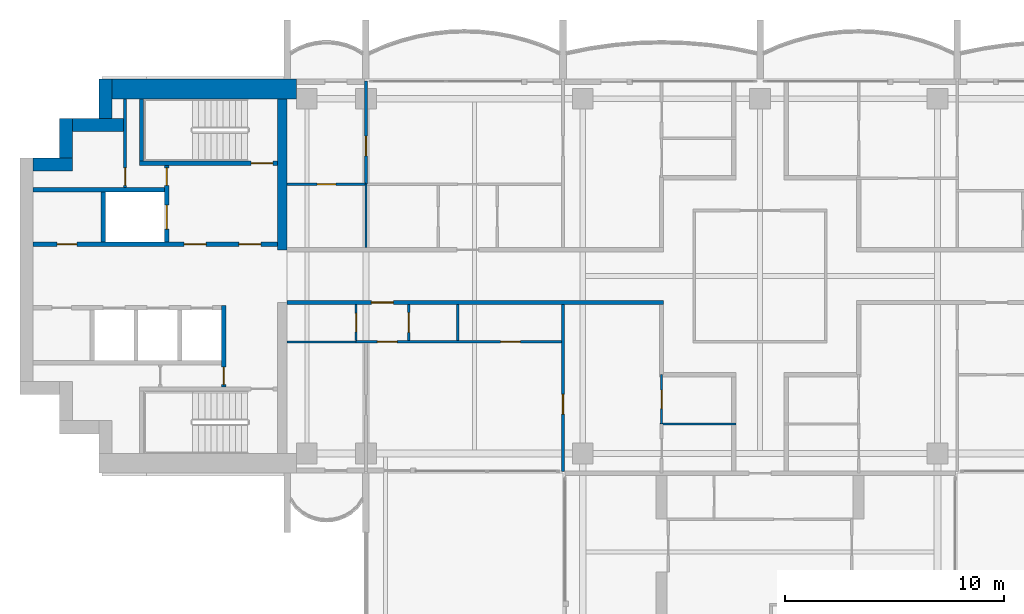
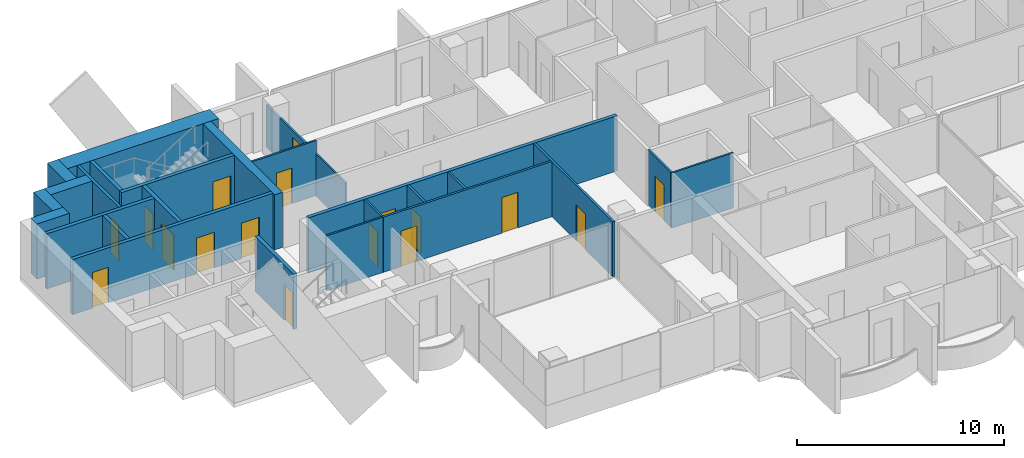
# One storey, part 9 of 18: 26 walls, 17 doors, 17 openings.
"""IFC4 building model written with IfcOpenShell, lengths in metres."""

from ifc_helpers import new_model, si_unit, direction, frame, frame_2d, origin, place, context, subcontext, project, spatial, rectangle, extrude, material, layer, layer_set, type_object, element, fill, save


model = new_model("IFC4")

# Units and contexts
model_context = context("Model", 3, precision=1e-05, world=origin(), true_north=direction((0.0, 1.0)))
body_context = subcontext(model_context, "Body", "Model", "MODEL_VIEW")
ifc_project = project(units=[si_unit("LENGTHUNIT", "METRE"), si_unit("AREAUNIT", "SQUARE_METRE"), si_unit("VOLUMEUNIT", "CUBIC_METRE"), si_unit("PLANEANGLEUNIT", "RADIAN"), si_unit("MASSUNIT", "GRAM", prefix="KILO")], contexts=[model_context])

# Site, building, storey
site_placement = place(None, origin())
site = spatial("IfcSite", under=ifc_project, at=site_placement, CompositionType="ELEMENT")
building_placement = place(site_placement, origin())
building = spatial("IfcBuilding", under=site, at=building_placement, Name="Perihelion Cross Residences", CompositionType="ELEMENT")
storey_placement = place(building_placement, frame((0.0, 0.0, 177.10009765625)))
storey = spatial("IfcBuildingStorey", under=building, at=storey_placement, Name="L43", CompositionType="ELEMENT", Elevation=177.10009765625)

# Wall, opening, door
ifc_material_1 = material(Name="Plasterboard partition")
ifc_layer_1 = layer(ifc_material_1, 0.199951171875)
ifc_layer_set_1 = layer_set([ifc_layer_1], Name="Apartment separation wall 200")
wall_type_1 = type_object("IfcWallType", Name="Apartment separation wall 200", PredefinedType="PARTITIONING", material=ifc_layer_set_1)
wall_1_placement = place(storey_placement, frame((-4.39990234375, -1.199951171875, 0.0), z_axis=(0.0, 0.0, 1.0), x_axis=(-1.0, 0.0, 0.0)))
wall_1 = element("IfcWall", 1, at=wall_1_placement, inside=storey, type_object=wall_type_1, Name="Partition L43 W017", PredefinedType="PARTITIONING", context=body_context, shape_type="SweptSolid", body=[
    extrude(rectangle(XDim=17.2001953125, YDim=0.199951171875, at=frame_2d((8.60009765625, 0.0))), origin(), (0.0, 0.0, 1.0), 3.25),
])
opening_1_placement = place(wall_1_placement, frame((12.35009765625, 0.0, 0.0)))
opening_1 = element("IfcOpeningElement", 2, at=opening_1_placement, cuts=wall_1, Name="Opening L43.A43", PredefinedType="OPENING", context=body_context, shape_type="SweptSolid", body=[
    extrude(rectangle(XDim=1.0, YDim=2.10009765625, at=frame_2d((0.5, 1.050048828125))), frame((0.0, 0.10986328125, 0.0), z_axis=(0.0, -1.0, 0.0), x_axis=(1.0, 0.0, 0.0)), (0.0, 0.0, 1.0), 0.219970703125),
])
ifc_material_2 = material(Name="Timber door leaf", Category="wood")
door_type_1 = type_object("IfcDoorType", Name="Flat entrance door 1000 x 2100", OperationType="SINGLE_SWING_LEFT", PredefinedType="DOOR", material=ifc_material_2)
door_1_placement = place(opening_1_placement, origin())
door_1 = element("IfcDoor", 3, at=door_1_placement, inside=storey, type_object=door_type_1, Name="Door L43.A43", OperationType="SINGLE_SWING_RIGHT", OverallHeight=2.10009765625, OverallWidth=1.0, PredefinedType="DOOR", context=body_context, shape_type="SweptSolid", body=[
    extrude(rectangle(XDim=1.0, YDim=2.10009765625, at=frame_2d((0.5, 1.050048828125))), frame((0.0, 0.02490234375, 0.0), z_axis=(0.0, -1.0, 0.0), x_axis=(1.0, 0.0, 0.0)), (0.0, 0.0, 1.0), 0.050048828125),
])
fill(opening_1, door_1)

# Walls
ifc_material_3 = material(Name="Concrete C60/75", Category="concrete")
ifc_layer_2 = layer(ifc_material_3, 0.449951171875)
ifc_layer_set_2 = layer_set([ifc_layer_2], Name="Core wall, inner 450")
wall_type_2 = type_object("IfcWallType", Name="Core wall, inner 450", PredefinedType="SHEAR", material=ifc_layer_set_2)
wall_2_placement = place(storey_placement, frame((-21.824951171875, 1.199951171875, 0.0), z_axis=(0.0, 0.0, 1.0), x_axis=(0.0, 1.0, 0.0)))
element("IfcWall", 4, at=wall_2_placement, inside=storey, type_object=wall_type_2, Name="West core core wall, inner", PredefinedType="SHEAR", context=body_context, shape_type="SweptSolid", body=[
    extrude(rectangle(XDim=6.900146484375, YDim=0.449951171875, at=frame_2d((3.4501953125, 0.0))), origin(), (0.0, 0.0, 1.0), 3.25),
])
ifc_material_4 = material(Name="Concrete C60/75", Category="concrete")
ifc_layer_3 = layer(ifc_material_4, 0.60009765625)
ifc_layer_set_3 = layer_set([ifc_layer_3], Name="Core wall, outer 600")
wall_type_3 = type_object("IfcWallType", Name="Core wall, outer 600", PredefinedType="SHEAR", material=ifc_layer_set_3)
for number, where, z_axis, x_axis, name in (
    (5, (-33.199951171875, 5.10009765625, 0.0), (0.0, 0.0, 1.0), (1.0, 0.0, 0.0), "West core core wall, outer"),
    (6, (-31.699951171875, 5.39990234375, 0.0), (0.0, 0.0, 1.0), (0.0, 1.0, 0.0), "West core core wall, outer"),
):
    element("IfcWall", number, at=place(storey_placement, frame(where, z_axis=z_axis, x_axis=x_axis)), inside=storey, type_object=wall_type_3, Name=name, PredefinedType="SHEAR", context=body_context, shape_type="SweptSolid", body=[
        extrude(rectangle(XDim=1.800048828125, YDim=0.60009765625, at=frame_2d((0.89990234375, 0.0))), origin(), (0.0, 0.0, 1.0), 3.25),
    ])
wall_3_placement = place(storey_placement, frame((-31.39990234375, 6.89990234375, 0.0), z_axis=(0.0, 0.0, 1.0), x_axis=(1.0, 0.0, 0.0)))
element("IfcWall", 7, at=wall_3_placement, inside=storey, type_object=wall_type_3, Name="West core core wall, outer", PredefinedType="SHEAR", context=body_context, shape_type="SweptSolid", body=[
    extrude(rectangle(XDim=2.324951171875, YDim=0.60009765625, at=frame_2d((1.16259765625, 0.0))), origin(), (0.0, 0.0, 1.0), 3.25),
])
wall_4_placement = place(storey_placement, frame((-29.89990234375, 7.199951171875, 0.0), z_axis=(0.0, 0.0, 1.0), x_axis=(0.0, 1.0, 0.0)))
element("IfcWall", 8, at=wall_4_placement, inside=storey, type_object=wall_type_3, Name="West core core wall, outer", PredefinedType="SHEAR", context=body_context, shape_type="SweptSolid", body=[
    extrude(rectangle(XDim=1.800048828125, YDim=0.60009765625, at=frame_2d((0.89990234375, 0.0))), origin(), (0.0, 0.0, 1.0), 3.25),
])
ifc_material_5 = material(Name="Concrete C60/75", Category="concrete")
ifc_layer_4 = layer(ifc_material_5, 0.89990234375)
ifc_layer_set_4 = layer_set([ifc_layer_4], Name="Core wall, outer 900")
wall_type_4 = type_object("IfcWallType", Name="Core wall, outer 900", PredefinedType="SHEAR", material=ifc_layer_set_4)
wall_5_placement = place(storey_placement, frame((-29.60009765625, 8.550048828125, 0.0), z_axis=(0.0, 0.0, 1.0), x_axis=(1.0, 0.0, 0.0)))
element("IfcWall", 9, at=wall_5_placement, inside=storey, type_object=wall_type_4, Name="West core core wall, outer", PredefinedType="SHEAR", context=body_context, shape_type="SweptSolid", body=[
    extrude(rectangle(XDim=8.425048828125, YDim=0.89990234375, at=frame_2d((4.21240234375, 0.0))), origin(), (0.0, 0.0, 1.0), 3.25),
])

# Wall, opening, door
ifc_material_6 = material(Name="Concrete C50/60", Category="concrete")
ifc_layer_5 = layer(ifc_material_6, 0.199951171875)
ifc_layer_set_5 = layer_set([ifc_layer_5], Name="Lobby wall 200")
wall_type_5 = type_object("IfcWallType", Name="Lobby wall 200", PredefinedType="SOLIDWALL", material=ifc_layer_set_5)
wall_6_placement = place(storey_placement, frame((-24.5, -5.050048828125, 0.0), z_axis=(0.0, 0.0, 1.0), x_axis=(0.0, 1.0, 0.0)))
wall_6 = element("IfcWall", 10, at=wall_6_placement, inside=storey, type_object=wall_type_5, Name="West core lobby wall", PredefinedType="SOLIDWALL", context=body_context, shape_type="SweptSolid", body=[
    extrude(rectangle(XDim=3.699951171875, YDim=0.199951171875, at=frame_2d((1.85009765625, 0.0))), origin(), (0.0, 0.0, 1.0), 3.25),
])
opening_2_placement = place(wall_6_placement, frame((0.10009765625, 0.0, 0.0)))
opening_2 = element("IfcOpeningElement", 11, at=opening_2_placement, cuts=wall_6, Name="Opening L43.C22", PredefinedType="OPENING", context=body_context, shape_type="SweptSolid", body=[
    extrude(rectangle(XDim=0.800048828125, YDim=2.10009765625, at=frame_2d((0.39990234375, 1.050048828125))), frame((0.0, 0.10986328125, 0.0), z_axis=(0.0, -1.0, 0.0), x_axis=(1.0, 0.0, 0.0)), (0.0, 0.0, 1.0), 0.219970703125),
])
ifc_material_7 = material(Name="Steel, powder coated", Category="steel")
door_type_2 = type_object("IfcDoorType", Name="Riser door 800", OperationType="SINGLE_SWING_LEFT", PredefinedType="DOOR", material=ifc_material_7)
door_2_placement = place(opening_2_placement, origin())
door_2 = element("IfcDoor", 12, at=door_2_placement, inside=storey, type_object=door_type_2, Name="West core riser door", OperationType="SINGLE_SWING_LEFT", OverallHeight=2.10009765625, OverallWidth=0.800048828125, PredefinedType="DOOR", context=body_context, shape_type="SweptSolid", body=[
    extrude(rectangle(XDim=0.800048828125, YDim=2.10009765625, at=frame_2d((0.39990234375, 1.050048828125))), frame((0.0, 0.02490234375, 0.0), z_axis=(0.0, -1.0, 0.0), x_axis=(1.0, 0.0, 0.0)), (0.0, 0.0, 1.0), 0.050048828125),
])
fill(opening_2, door_2)

ifc_material_8 = material(Name="Plasterboard partition")
ifc_layer_6 = layer(ifc_material_8, 0.1201171875)
ifc_layer_set_6 = layer_set([ifc_layer_6], Name="Partition wall 120")
wall_type_6 = type_object("IfcWallType", Name="Partition wall 120", PredefinedType="PARTITIONING", material=ifc_layer_set_6)
wall_7_placement = place(storey_placement, frame((-18.0, 4.199951171875, 0.0), z_axis=(0.0, 0.0, 1.0), x_axis=(0.0, 1.0, 0.0)))
wall_7 = element("IfcWall", 13, at=wall_7_placement, inside=storey, type_object=wall_type_6, Name="Partition L43 W049", PredefinedType="PARTITIONING", context=body_context, shape_type="SweptSolid", body=[
    extrude(rectangle(XDim=4.719970703125, YDim=0.1201171875, at=frame_2d((2.35986328125, 0.0))), origin(), (0.0, 0.0, 1.0), 2.47998046875),
])
opening_3_placement = place(wall_7_placement, frame((1.300048828125, 0.0, 0.0)))
opening_3 = element("IfcOpeningElement", 14, at=opening_3_placement, cuts=wall_7, Name="Opening L43.A18", PredefinedType="OPENING", context=body_context, shape_type="SweptSolid", body=[
    extrude(rectangle(XDim=0.89990234375, YDim=2.10009765625, at=frame_2d((0.449951171875, 1.050048828125))), frame((0.0, 0.070068359375, 0.0), z_axis=(0.0, -1.0, 0.0), x_axis=(1.0, 0.0, 0.0)), (0.0, 0.0, 1.0), 0.14013671875),
])
ifc_material_9 = material(Name="Timber door leaf", Category="wood")
door_type_3 = type_object("IfcDoorType", Name="Interior room door 900 x 2100", OperationType="SINGLE_SWING_LEFT", PredefinedType="DOOR", material=ifc_material_9)
door_3_placement = place(opening_3_placement, origin())
door_3 = element("IfcDoor", 15, at=door_3_placement, inside=storey, type_object=door_type_3, Name="Door L43.A18", OperationType="SINGLE_SWING_LEFT", OverallHeight=2.10009765625, OverallWidth=0.89990234375, PredefinedType="DOOR", context=body_context, shape_type="SweptSolid", body=[
    extrude(rectangle(XDim=0.89990234375, YDim=2.10009765625, at=frame_2d((0.449951171875, 1.050048828125))), frame((0.0, 0.02490234375, 0.0), z_axis=(0.0, -1.0, 0.0), x_axis=(1.0, 0.0, 0.0)), (0.0, 0.0, 1.0), 0.050048828125),
])
fill(opening_3, door_3)

# Wall
wall_8_placement = place(storey_placement, frame((-13.800048828125, -2.93994140625, 0.0), z_axis=(0.0, 0.0, 1.0), x_axis=(0.0, 1.0, 0.0)))
element("IfcWall", 16, at=wall_8_placement, inside=storey, type_object=wall_type_6, Name="Partition L43 W053", PredefinedType="PARTITIONING", context=body_context, shape_type="SweptSolid", body=[
    extrude(rectangle(XDim=1.639892578125, YDim=0.1201171875, at=frame_2d((0.81982421875, 0.0))), origin(), (0.0, 0.0, 1.0), 3.25),
])

# Wall, openings, doors
wall_9_placement = place(storey_placement, frame((-8.93994140625, -3.0, 0.0), z_axis=(0.0, 0.0, 1.0), x_axis=(-1.0, 0.0, 0.0)))
wall_9 = element("IfcWall", 17, at=wall_9_placement, inside=storey, type_object=wall_type_6, Name="Partition L43 W054", PredefinedType="PARTITIONING", context=body_context, shape_type="SweptSolid", body=[
    extrude(rectangle(XDim=9.510009765625, YDim=0.1201171875, at=frame_2d((4.7548828125, 0.0))), origin(), (0.0, 0.0, 1.0), 3.25),
])
opening_4_placement = place(wall_9_placement, frame((2.010009765625, 0.0, 0.0)))
opening_4 = element("IfcOpeningElement", 18, at=opening_4_placement, cuts=wall_9, Name="Opening L43.A27", PredefinedType="OPENING", context=body_context, shape_type="SweptSolid", body=[
    extrude(rectangle(XDim=0.89990234375, YDim=2.10009765625, at=frame_2d((0.449951171875, 1.050048828125))), frame((0.0, 0.070068359375, 0.0), z_axis=(0.0, -1.0, 0.0), x_axis=(1.0, 0.0, 0.0)), (0.0, 0.0, 1.0), 0.14013671875),
])
opening_5_placement = place(wall_9_placement, frame((7.635009765625, 0.0, 0.0)))
opening_5 = element("IfcOpeningElement", 19, at=opening_5_placement, cuts=wall_9, Name="Opening L43.A30", PredefinedType="OPENING", context=body_context, shape_type="SweptSolid", body=[
    extrude(rectangle(XDim=0.89990234375, YDim=2.10009765625, at=frame_2d((0.449951171875, 1.050048828125))), frame((0.0, 0.070068359375, 0.0), z_axis=(0.0, -1.0, 0.0), x_axis=(1.0, 0.0, 0.0)), (0.0, 0.0, 1.0), 0.14013671875),
])
door_4_placement = place(opening_4_placement, origin())
door_4 = element("IfcDoor", 20, at=door_4_placement, inside=storey, type_object=door_type_3, Name="Door L43.A27", OperationType="SINGLE_SWING_RIGHT", OverallHeight=2.10009765625, OverallWidth=0.89990234375, PredefinedType="DOOR", context=body_context, shape_type="SweptSolid", body=[
    extrude(rectangle(XDim=0.89990234375, YDim=2.10009765625, at=frame_2d((0.449951171875, 1.050048828125))), frame((0.0, 0.02490234375, 0.0), z_axis=(0.0, -1.0, 0.0), x_axis=(1.0, 0.0, 0.0)), (0.0, 0.0, 1.0), 0.050048828125),
])
fill(opening_4, door_4)
door_5_placement = place(opening_5_placement, origin())
door_5 = element("IfcDoor", 21, at=door_5_placement, inside=storey, type_object=door_type_3, Name="Door L43.A30", OperationType="SINGLE_SWING_LEFT", OverallHeight=2.10009765625, OverallWidth=0.89990234375, PredefinedType="DOOR", context=body_context, shape_type="SweptSolid", body=[
    extrude(rectangle(XDim=0.89990234375, YDim=2.10009765625, at=frame_2d((0.449951171875, 1.050048828125))), frame((0.0, 0.02490234375, 0.0), z_axis=(0.0, -1.0, 0.0), x_axis=(1.0, 0.0, 0.0)), (0.0, 0.0, 1.0), 0.050048828125),
])
fill(opening_5, door_5)

# Wall, opening, door
wall_10_placement = place(storey_placement, frame((-9.0, -1.300048828125, 0.0), z_axis=(0.0, 0.0, 1.0), x_axis=(0.0, -1.0, 0.0)))
wall_10 = element("IfcWall", 22, at=wall_10_placement, inside=storey, type_object=wall_type_6, Name="Partition L43 W055", PredefinedType="PARTITIONING", context=body_context, shape_type="SweptSolid", body=[
    extrude(rectangle(XDim=7.619873046875, YDim=0.1201171875, at=frame_2d((3.81005859375, 0.0))), origin(), (0.0, 0.0, 1.0), 3.25),
])
opening_6_placement = place(wall_10_placement, frame((4.10009765625, 0.0, 0.0)))
opening_6 = element("IfcOpeningElement", 23, at=opening_6_placement, cuts=wall_10, Name="Opening L43.A31", PredefinedType="OPENING", context=body_context, shape_type="SweptSolid", body=[
    extrude(rectangle(XDim=0.89990234375, YDim=2.10009765625, at=frame_2d((0.449951171875, 1.050048828125))), frame((0.0, 0.070068359375, 0.0), z_axis=(0.0, -1.0, 0.0), x_axis=(1.0, 0.0, 0.0)), (0.0, 0.0, 1.0), 0.14013671875),
])
door_6_placement = place(opening_6_placement, origin())
door_6 = element("IfcDoor", 24, at=door_6_placement, inside=storey, type_object=door_type_3, Name="Door L43.A31", OperationType="SINGLE_SWING_LEFT", OverallHeight=2.10009765625, OverallWidth=0.89990234375, PredefinedType="DOOR", context=body_context, shape_type="SweptSolid", body=[
    extrude(rectangle(XDim=0.89990234375, YDim=2.10009765625, at=frame_2d((0.449951171875, 1.050048828125))), frame((0.0, 0.02490234375, 0.0), z_axis=(0.0, -1.0, 0.0), x_axis=(1.0, 0.0, 0.0)), (0.0, 0.0, 1.0), 0.050048828125),
])
fill(opening_6, door_6)

wall_11_placement = place(storey_placement, frame((-16.050048828125, -2.93994140625, 0.0), z_axis=(0.0, 0.0, 1.0), x_axis=(0.0, 1.0, 0.0)))
wall_11 = element("IfcWall", 25, at=wall_11_placement, inside=storey, type_object=wall_type_6, Name="Partition L43 W056", PredefinedType="PARTITIONING", context=body_context, shape_type="SweptSolid", body=[
    extrude(rectangle(XDim=1.639892578125, YDim=0.1201171875, at=frame_2d((0.81982421875, 0.0))), origin(), (0.0, 0.0, 1.0), 3.25),
])
opening_7_placement = place(wall_11_placement, frame((0.3701171875, 0.0, 0.0)))
opening_7 = element("IfcOpeningElement", 26, at=opening_7_placement, cuts=wall_11, Name="Opening L43.A28", PredefinedType="OPENING", context=body_context, shape_type="SweptSolid", body=[
    extrude(rectangle(XDim=0.89990234375, YDim=2.10009765625, at=frame_2d((0.449951171875, 1.050048828125))), frame((0.0, 0.070068359375, 0.0), z_axis=(0.0, -1.0, 0.0), x_axis=(1.0, 0.0, 0.0)), (0.0, 0.0, 1.0), 0.14013671875),
])
door_7_placement = place(opening_7_placement, origin())
door_7 = element("IfcDoor", 27, at=door_7_placement, inside=storey, type_object=door_type_3, Name="Door L43.A28", OperationType="SINGLE_SWING_LEFT", OverallHeight=2.10009765625, OverallWidth=0.89990234375, PredefinedType="DOOR", context=body_context, shape_type="SweptSolid", body=[
    extrude(rectangle(XDim=0.89990234375, YDim=2.10009765625, at=frame_2d((0.449951171875, 1.050048828125))), frame((0.0, 0.02490234375, 0.0), z_axis=(0.0, -1.0, 0.0), x_axis=(1.0, 0.0, 0.0)), (0.0, 0.0, 1.0), 0.050048828125),
])
fill(opening_7, door_7)

ifc_material_10 = material(Name="Fire-rated board on steel stud", Category="steel")
ifc_layer_7 = layer(ifc_material_10, 0.14990234375)
ifc_layer_set_7 = layer_set([ifc_layer_7], Name="Riser wall 150")
wall_type_7 = type_object("IfcWallType", Name="Riser wall 150", PredefinedType="PARTITIONING", material=ifc_layer_set_7)
wall_12_placement = place(storey_placement, frame((-29.0, 4.050048828125, 0.0), z_axis=(0.0, 0.0, 1.0), x_axis=(0.0, 1.0, 0.0)))
wall_12 = element("IfcWall", 28, at=wall_12_placement, inside=storey, type_object=wall_type_7, Name="West core riser wall", PredefinedType="PARTITIONING", context=body_context, shape_type="SweptSolid", body=[
    extrude(rectangle(XDim=4.050048828125, YDim=0.14990234375, at=frame_2d((2.02490234375, 0.0))), origin(), (0.0, 0.0, 1.0), 3.25),
])
opening_8_placement = place(wall_12_placement, frame((0.10009765625, 0.0, 0.0)))
opening_8 = element("IfcOpeningElement", 29, at=opening_8_placement, cuts=wall_12, Name="Opening L43.C26", PredefinedType="OPENING", context=body_context, shape_type="SweptSolid", body=[
    extrude(rectangle(XDim=0.800048828125, YDim=2.10009765625, at=frame_2d((0.39990234375, 1.050048828125))), frame((0.0, 0.0849609375, 0.0), z_axis=(0.0, -1.0, 0.0), x_axis=(1.0, 0.0, 0.0)), (0.0, 0.0, 1.0), 0.169921875),
])
door_8_placement = place(opening_8_placement, origin())
door_8 = element("IfcDoor", 30, at=door_8_placement, inside=storey, type_object=door_type_2, Name="West core riser door", OperationType="SINGLE_SWING_LEFT", OverallHeight=2.10009765625, OverallWidth=0.800048828125, PredefinedType="DOOR", context=body_context, shape_type="SweptSolid", body=[
    extrude(rectangle(XDim=0.800048828125, YDim=2.10009765625, at=frame_2d((0.39990234375, 1.050048828125))), frame((0.0, 0.02490234375, 0.0), z_axis=(0.0, -1.0, 0.0), x_axis=(1.0, 0.0, 0.0)), (0.0, 0.0, 1.0), 0.050048828125),
])
fill(opening_8, door_8)

# Wall, openings, doors
ifc_material_11 = material(Name="Concrete C50/60", Category="concrete")
ifc_layer_8 = layer(ifc_material_11, 0.199951171875)
ifc_layer_set_8 = layer_set([ifc_layer_8], Name="Shaft wall 200")
wall_type_8 = type_object("IfcWallType", Name="Shaft wall 200", PredefinedType="SOLIDWALL", material=ifc_layer_set_8)
wall_13_placement = place(storey_placement, frame((-33.199951171875, 1.449951171875, 0.0), z_axis=(0.0, 0.0, 1.0), x_axis=(1.0, 0.0, 0.0)))
wall_13 = element("IfcWall", 31, at=wall_13_placement, inside=storey, type_object=wall_type_8, Name="West core shaft wall", PredefinedType="SOLIDWALL", context=body_context, shape_type="SweptSolid", body=[
    extrude(rectangle(XDim=11.14990234375, YDim=0.199951171875, at=frame_2d((5.574951171875, 0.0))), origin(), (0.0, 0.0, 1.0), 3.25),
])
opening_9_placement = place(wall_13_placement, frame((9.39990234375, 0.0, 0.0)))
opening_9 = element("IfcOpeningElement", 32, at=opening_9_placement, cuts=wall_13, Name="Opening L43.C21", PredefinedType="OPENING", context=body_context, shape_type="SweptSolid", body=[
    extrude(rectangle(XDim=1.0, YDim=2.10009765625, at=frame_2d((0.5, 1.050048828125))), frame((0.0, 0.10986328125, 0.0), z_axis=(0.0, -1.0, 0.0), x_axis=(1.0, 0.0, 0.0)), (0.0, 0.0, 1.0), 0.219970703125),
])
opening_10_placement = place(wall_13_placement, frame((6.89990234375, 0.0, 0.0)))
opening_10 = element("IfcOpeningElement", 33, at=opening_10_placement, cuts=wall_13, Name="Opening L43.C23", PredefinedType="OPENING", context=body_context, shape_type="SweptSolid", body=[
    extrude(rectangle(XDim=1.0, YDim=2.10009765625, at=frame_2d((0.5, 1.050048828125))), frame((0.0, 0.10986328125, 0.0), z_axis=(0.0, -1.0, 0.0), x_axis=(1.0, 0.0, 0.0)), (0.0, 0.0, 1.0), 0.219970703125),
])
opening_11_placement = place(wall_13_placement, frame((1.10009765625, 0.0, 0.0)))
opening_11 = element("IfcOpeningElement", 34, at=opening_11_placement, cuts=wall_13, Name="Opening L43.C27", PredefinedType="OPENING", context=body_context, shape_type="SweptSolid", body=[
    extrude(rectangle(XDim=0.89990234375, YDim=2.10009765625, at=frame_2d((0.449951171875, 1.050048828125))), frame((0.0, 0.10986328125, 0.0), z_axis=(0.0, -1.0, 0.0), x_axis=(1.0, 0.0, 0.0)), (0.0, 0.0, 1.0), 0.219970703125),
])
ifc_material_12 = material(Name="Steel, powder coated", Category="steel")
door_type_4 = type_object("IfcDoorType", Name="Lobby door 1000", OperationType="SINGLE_SWING_LEFT", PredefinedType="DOOR", material=ifc_material_12)
door_9_placement = place(opening_9_placement, origin())
door_9 = element("IfcDoor", 35, at=door_9_placement, inside=storey, type_object=door_type_4, Name="West core firefighting lobby door", OperationType="SINGLE_SWING_LEFT", OverallHeight=2.10009765625, OverallWidth=1.0, PredefinedType="DOOR", context=body_context, shape_type="SweptSolid", body=[
    extrude(rectangle(XDim=1.0, YDim=2.10009765625, at=frame_2d((0.5, 1.050048828125))), frame((0.0, 0.02490234375, 0.0), z_axis=(0.0, -1.0, 0.0), x_axis=(1.0, 0.0, 0.0)), (0.0, 0.0, 1.0), 0.050048828125),
])
fill(opening_9, door_9)
door_10_placement = place(opening_10_placement, origin())
door_10 = element("IfcDoor", 36, at=door_10_placement, inside=storey, type_object=door_type_4, Name="West core firefighting lobby door", OperationType="SINGLE_SWING_LEFT", OverallHeight=2.10009765625, OverallWidth=1.0, PredefinedType="DOOR", context=body_context, shape_type="SweptSolid", body=[
    extrude(rectangle(XDim=1.0, YDim=2.10009765625, at=frame_2d((0.5, 1.050048828125))), frame((0.0, 0.02490234375, 0.0), z_axis=(0.0, -1.0, 0.0), x_axis=(1.0, 0.0, 0.0)), (0.0, 0.0, 1.0), 0.050048828125),
])
fill(opening_10, door_10)
ifc_material_13 = material(Name="Steel, powder coated", Category="steel")
door_type_5 = type_object("IfcDoorType", Name="Service room door 900", OperationType="SINGLE_SWING_LEFT", PredefinedType="DOOR", material=ifc_material_13)
door_11_placement = place(opening_11_placement, origin())
door_11 = element("IfcDoor", 37, at=door_11_placement, inside=storey, type_object=door_type_5, Name="West core service room door", OperationType="SINGLE_SWING_LEFT", OverallHeight=2.10009765625, OverallWidth=0.89990234375, PredefinedType="DOOR", context=body_context, shape_type="SweptSolid", body=[
    extrude(rectangle(XDim=0.89990234375, YDim=2.10009765625, at=frame_2d((0.449951171875, 1.050048828125))), frame((0.0, 0.02490234375, 0.0), z_axis=(0.0, -1.0, 0.0), x_axis=(1.0, 0.0, 0.0)), (0.0, 0.0, 1.0), 0.050048828125),
])
fill(opening_11, door_11)

# Wall
wall_14_placement = place(storey_placement, frame((-33.199951171875, 3.949951171875, 0.0), z_axis=(0.0, 0.0, 1.0), x_axis=(1.0, 0.0, 0.0)))
element("IfcWall", 38, at=wall_14_placement, inside=storey, type_object=wall_type_8, Name="West core shaft wall", PredefinedType="SOLIDWALL", context=body_context, shape_type="SweptSolid", body=[
    extrude(rectangle(XDim=6.0, YDim=0.199951171875, at=frame_2d((3.0, 0.0))), origin(), (0.0, 0.0, 1.0), 3.25),
])

# Wall, openings, doors
wall_15_placement = place(storey_placement, frame((-27.10009765625, 1.550048828125, 0.0), z_axis=(0.0, 0.0, 1.0), x_axis=(0.0, 1.0, 0.0)))
wall_15 = element("IfcWall", 39, at=wall_15_placement, inside=storey, type_object=wall_type_8, Name="West core shaft wall", PredefinedType="SOLIDWALL", context=body_context, shape_type="SweptSolid", body=[
    extrude(rectangle(XDim=3.5, YDim=0.199951171875, at=frame_2d((1.75, 0.0))), origin(), (0.0, 0.0, 1.0), 3.25),
])
opening_12_placement = place(wall_15_placement, frame((0.60009765625, 0.0, 0.0)))
opening_12 = element("IfcOpeningElement", 40, at=opening_12_placement, cuts=wall_15, Name="Opening L43.C16", PredefinedType="OPENING", context=body_context, shape_type="SweptSolid", body=[
    extrude(rectangle(XDim=1.10009765625, YDim=2.10009765625, at=frame_2d((0.550048828125, 1.050048828125))), frame((0.0, 0.10986328125, 0.0), z_axis=(0.0, -1.0, 0.0), x_axis=(1.0, 0.0, 0.0)), (0.0, 0.0, 1.0), 0.219970703125),
])
opening_13_placement = place(wall_15_placement, frame((2.60009765625, 0.0, 0.0)))
opening_13 = element("IfcOpeningElement", 41, at=opening_13_placement, cuts=wall_15, Name="Opening L43.C24", PredefinedType="OPENING", context=body_context, shape_type="SweptSolid", body=[
    extrude(rectangle(XDim=0.800048828125, YDim=2.10009765625, at=frame_2d((0.39990234375, 1.050048828125))), frame((0.0, 0.10986328125, 0.0), z_axis=(0.0, -1.0, 0.0), x_axis=(1.0, 0.0, 0.0)), (0.0, 0.0, 1.0), 0.219970703125),
])
ifc_material_14 = material(Name="Stainless steel", Category="steel")
door_type_6 = type_object("IfcDoorType", Name="Landing door, firefighting lift 1100", OperationType="DOUBLE_DOOR_SLIDING", PredefinedType="DOOR", material=ifc_material_14)
door_12_placement = place(opening_12_placement, origin())
door_12 = element("IfcDoor", 42, at=door_12_placement, inside=storey, type_object=door_type_6, Name="Landing door, West core firefighting and service lift", OperationType="DOUBLE_DOOR_SLIDING", OverallHeight=2.10009765625, OverallWidth=1.10009765625, PredefinedType="DOOR", context=body_context, shape_type="SweptSolid", body=[
    extrude(rectangle(XDim=1.10009765625, YDim=2.10009765625, at=frame_2d((0.550048828125, 1.050048828125))), frame((0.0, 0.02490234375, 0.0), z_axis=(0.0, -1.0, 0.0), x_axis=(1.0, 0.0, 0.0)), (0.0, 0.0, 1.0), 0.050048828125),
])
fill(opening_12, door_12)
door_13_placement = place(opening_13_placement, origin())
door_13 = element("IfcDoor", 43, at=door_13_placement, inside=storey, type_object=door_type_2, Name="West core riser door", OperationType="SINGLE_SWING_LEFT", OverallHeight=2.10009765625, OverallWidth=0.800048828125, PredefinedType="DOOR", context=body_context, shape_type="SweptSolid", body=[
    extrude(rectangle(XDim=0.800048828125, YDim=2.10009765625, at=frame_2d((0.39990234375, 1.050048828125))), frame((0.0, 0.02490234375, 0.0), z_axis=(0.0, -1.0, 0.0), x_axis=(1.0, 0.0, 0.0)), (0.0, 0.0, 1.0), 0.050048828125),
])
fill(opening_13, door_13)

# Wall
wall_16_placement = place(storey_placement, frame((-30.0, 1.550048828125, 0.0), z_axis=(0.0, 0.0, 1.0), x_axis=(0.0, 1.0, 0.0)))
element("IfcWall", 44, at=wall_16_placement, inside=storey, type_object=wall_type_8, Name="West core shaft wall", PredefinedType="SOLIDWALL", context=body_context, shape_type="SweptSolid", body=[
    extrude(rectangle(XDim=2.300048828125, YDim=0.199951171875, at=frame_2d((1.14990234375, 0.0))), origin(), (0.0, 0.0, 1.0), 3.25),
])

# Wall, opening, door
ifc_material_15 = material(Name="Concrete C50/60", Category="concrete")
ifc_layer_9 = layer(ifc_material_15, 0.199951171875)
ifc_layer_set_9 = layer_set([ifc_layer_9], Name="Stair wall 200")
wall_type_9 = type_object("IfcWallType", Name="Stair wall 200", PredefinedType="SOLIDWALL", material=ifc_layer_set_9)
wall_17_placement = place(storey_placement, frame((-28.35009765625, 5.14990234375, 0.0), z_axis=(0.0, 0.0, 1.0), x_axis=(1.0, 0.0, 0.0)))
wall_17 = element("IfcWall", 45, at=wall_17_placement, inside=storey, type_object=wall_type_9, Name="West core stair wall", PredefinedType="SOLIDWALL", context=body_context, shape_type="SweptSolid", body=[
    extrude(rectangle(XDim=6.300048828125, YDim=0.199951171875, at=frame_2d((3.14990234375, 0.0))), origin(), (0.0, 0.0, 1.0), 3.25),
])
opening_14_placement = place(wall_17_placement, frame((5.10009765625, 0.0, 0.0)))
opening_14 = element("IfcOpeningElement", 46, at=opening_14_placement, cuts=wall_17, Name="Opening L43.C20", PredefinedType="OPENING", context=body_context, shape_type="SweptSolid", body=[
    extrude(rectangle(XDim=1.0, YDim=2.10009765625, at=frame_2d((0.5, 1.050048828125))), frame((0.0, 0.10986328125, 0.0), z_axis=(0.0, -1.0, 0.0), x_axis=(1.0, 0.0, 0.0)), (0.0, 0.0, 1.0), 0.219970703125),
])
ifc_material_16 = material(Name="Steel, powder coated", Category="steel")
door_type_7 = type_object("IfcDoorType", Name="Stair door 1000", OperationType="SINGLE_SWING_LEFT", PredefinedType="DOOR", material=ifc_material_16)
door_14_placement = place(opening_14_placement, origin())
door_14 = element("IfcDoor", 47, at=door_14_placement, inside=storey, type_object=door_type_7, Name="West core stair door", OperationType="SINGLE_SWING_LEFT", OverallHeight=2.10009765625, OverallWidth=1.0, PredefinedType="DOOR", context=body_context, shape_type="SweptSolid", body=[
    extrude(rectangle(XDim=1.0, YDim=2.10009765625, at=frame_2d((0.5, 1.050048828125))), frame((0.0, 0.02490234375, 0.0), z_axis=(0.0, -1.0, 0.0), x_axis=(1.0, 0.0, 0.0)), (0.0, 0.0, 1.0), 0.050048828125),
])
fill(opening_14, door_14)

# Walls
wall_18_placement = place(storey_placement, frame((-28.25, 5.25, 0.0), z_axis=(0.0, 0.0, 1.0), x_axis=(0.0, 1.0, 0.0)))
element("IfcWall", 48, at=wall_18_placement, inside=storey, type_object=wall_type_9, Name="West core stair wall", PredefinedType="SOLIDWALL", context=body_context, shape_type="SweptSolid", body=[
    extrude(rectangle(XDim=2.85009765625, YDim=0.199951171875, at=frame_2d((1.425048828125, 0.0))), origin(), (0.0, 0.0, 1.0), 3.25),
])
ifc_material_17 = material(Name="Plasterboard partition")
ifc_layer_10 = layer(ifc_material_17, 0.10009765625)
ifc_layer_set_10 = layer_set([ifc_layer_10], Name="Wet room wall 100")
wall_type_10 = type_object("IfcWallType", Name="Wet room wall 100", PredefinedType="PARTITIONING", material=ifc_layer_set_10)
wall_19_placement = place(storey_placement, frame((-18.0, 1.300048828125, 0.0), z_axis=(0.0, 0.0, 1.0), x_axis=(0.0, 1.0, 0.0)))
element("IfcWall", 49, at=wall_19_placement, inside=storey, type_object=wall_type_10, Name="Partition L43 W047", PredefinedType="PARTITIONING", context=body_context, shape_type="SweptSolid", body=[
    extrude(rectangle(XDim=2.89990234375, YDim=0.10009765625, at=frame_2d((1.449951171875, 0.0))), origin(), (0.0, 0.0, 1.0), 2.47998046875),
])

# Wall, opening, door
wall_20_placement = place(storey_placement, frame((-21.60009765625, 4.199951171875, 0.0), z_axis=(0.0, 0.0, 1.0), x_axis=(1.0, 0.0, 0.0)))
wall_20 = element("IfcWall", 50, at=wall_20_placement, inside=storey, type_object=wall_type_10, Name="Partition L43 W048", PredefinedType="PARTITIONING", context=body_context, shape_type="SweptSolid", body=[
    extrude(rectangle(XDim=3.60009765625, YDim=0.10009765625, at=frame_2d((1.800048828125, 0.0))), origin(), (0.0, 0.0, 1.0), 3.25),
])
opening_15_placement = place(wall_20_placement, frame((1.375, 0.0, 0.0)))
opening_15 = element("IfcOpeningElement", 51, at=opening_15_placement, cuts=wall_20, Name="Opening L43.A19", PredefinedType="OPENING", context=body_context, shape_type="SweptSolid", body=[
    extrude(rectangle(XDim=0.85009765625, YDim=2.10009765625, at=frame_2d((0.425048828125, 1.050048828125))), frame((0.0, 0.06005859375, 0.0), z_axis=(0.0, -1.0, 0.0), x_axis=(1.0, 0.0, 0.0)), (0.0, 0.0, 1.0), 0.1201171875),
])
ifc_material_18 = material(Name="Timber door leaf", Category="wood")
door_type_8 = type_object("IfcDoorType", Name="Interior bathroom door 850 x 2100", OperationType="SINGLE_SWING_LEFT", PredefinedType="DOOR", material=ifc_material_18)
door_15_placement = place(opening_15_placement, origin())
door_15 = element("IfcDoor", 52, at=door_15_placement, inside=storey, type_object=door_type_8, Name="Door L43.A19", OperationType="SINGLE_SWING_LEFT", OverallHeight=2.10009765625, OverallWidth=0.85009765625, PredefinedType="DOOR", context=body_context, shape_type="SweptSolid", body=[
    extrude(rectangle(XDim=0.85009765625, YDim=2.10009765625, at=frame_2d((0.425048828125, 1.050048828125))), frame((0.0, 0.02490234375, 0.0), z_axis=(0.0, -1.0, 0.0), x_axis=(1.0, 0.0, 0.0)), (0.0, 0.0, 1.0), 0.050048828125),
])
fill(opening_15, door_15)

wall_21_placement = place(storey_placement, frame((-18.449951171875, -2.93994140625, 0.0), z_axis=(0.0, 0.0, 1.0), x_axis=(0.0, 1.0, 0.0)))
wall_21 = element("IfcWall", 53, at=wall_21_placement, inside=storey, type_object=wall_type_10, Name="Partition L43 W057", PredefinedType="PARTITIONING", context=body_context, shape_type="SweptSolid", body=[
    extrude(rectangle(XDim=1.639892578125, YDim=0.10009765625, at=frame_2d((0.81982421875, 0.0))), origin(), (0.0, 0.0, 1.0), 3.25),
])
opening_16_placement = place(wall_21_placement, frame((0.39501953125, 0.0, 0.0)))
opening_16 = element("IfcOpeningElement", 54, at=opening_16_placement, cuts=wall_21, Name="Opening L43.A26", PredefinedType="OPENING", context=body_context, shape_type="SweptSolid", body=[
    extrude(rectangle(XDim=0.85009765625, YDim=2.10009765625, at=frame_2d((0.425048828125, 1.050048828125))), frame((0.0, 0.06005859375, 0.0), z_axis=(0.0, -1.0, 0.0), x_axis=(1.0, 0.0, 0.0)), (0.0, 0.0, 1.0), 0.1201171875),
])
door_16_placement = place(opening_16_placement, origin())
door_16 = element("IfcDoor", 55, at=door_16_placement, inside=storey, type_object=door_type_8, Name="Door L43.A26", OperationType="SINGLE_SWING_RIGHT", OverallHeight=2.10009765625, OverallWidth=0.85009765625, PredefinedType="DOOR", context=body_context, shape_type="SweptSolid", body=[
    extrude(rectangle(XDim=0.85009765625, YDim=2.10009765625, at=frame_2d((0.425048828125, 1.050048828125))), frame((0.0, 0.02490234375, 0.0), z_axis=(0.0, -1.0, 0.0), x_axis=(1.0, 0.0, 0.0)), (0.0, 0.0, 1.0), 0.050048828125),
])
fill(opening_16, door_16)

# Wall
wall_22_placement = place(storey_placement, frame((-18.449951171875, -3.0, 0.0), z_axis=(0.0, 0.0, 1.0), x_axis=(-1.0, 0.0, 0.0)))
element("IfcWall", 56, at=wall_22_placement, inside=storey, type_object=wall_type_10, Name="Partition L43 W058", PredefinedType="PARTITIONING", context=body_context, shape_type="SweptSolid", body=[
    extrude(rectangle(XDim=3.150146484375, YDim=0.10009765625, at=frame_2d((1.5751953125, 0.0))), origin(), (0.0, 0.0, 1.0), 3.25),
])

# Wall, opening, door
wall_23_placement = place(storey_placement, frame((-4.5, -4.5, 0.0), z_axis=(0.0, 0.0, 1.0), x_axis=(0.0, -1.0, 0.0)))
wall_23 = element("IfcWall", 57, at=wall_23_placement, inside=storey, type_object=wall_type_10, Name="Partition L43 W060", PredefinedType="PARTITIONING", context=body_context, shape_type="SweptSolid", body=[
    extrude(rectangle(XDim=2.25, YDim=0.10009765625, at=frame_2d((1.125, 0.0))), origin(), (0.0, 0.0, 1.0), 3.25),
])
opening_17_placement = place(wall_23_placement, frame((0.699951171875, 0.0, 0.0)))
opening_17 = element("IfcOpeningElement", 58, at=opening_17_placement, cuts=wall_23, Name="Opening L43.A33", PredefinedType="OPENING", context=body_context, shape_type="SweptSolid", body=[
    extrude(rectangle(XDim=0.85009765625, YDim=2.10009765625, at=frame_2d((0.425048828125, 1.050048828125))), frame((0.0, 0.06005859375, 0.0), z_axis=(0.0, -1.0, 0.0), x_axis=(1.0, 0.0, 0.0)), (0.0, 0.0, 1.0), 0.1201171875),
])
door_17_placement = place(opening_17_placement, origin())
door_17 = element("IfcDoor", 59, at=door_17_placement, inside=storey, type_object=door_type_8, Name="Door L43.A33", OperationType="SINGLE_SWING_LEFT", OverallHeight=2.10009765625, OverallWidth=0.85009765625, PredefinedType="DOOR", context=body_context, shape_type="SweptSolid", body=[
    extrude(rectangle(XDim=0.85009765625, YDim=2.10009765625, at=frame_2d((0.425048828125, 1.050048828125))), frame((0.0, 0.02490234375, 0.0), z_axis=(0.0, -1.0, 0.0), x_axis=(1.0, 0.0, 0.0)), (0.0, 0.0, 1.0), 0.050048828125),
])
fill(opening_17, door_17)

# Wall
wall_24_placement = place(storey_placement, frame((-1.10009765625, -6.75, 0.0), z_axis=(0.0, 0.0, 1.0), x_axis=(-1.0, 0.0, 0.0)))
element("IfcWall", 60, at=wall_24_placement, inside=storey, type_object=wall_type_10, Name="Partition L43 W062", PredefinedType="PARTITIONING", context=body_context, shape_type="SweptSolid", body=[
    extrude(rectangle(XDim=3.4599609375, YDim=0.10009765625, at=frame_2d((1.72998046875, 0.0))), origin(), (0.0, 0.0, 1.0), 3.25),
])

save(model, "model.ifc")
